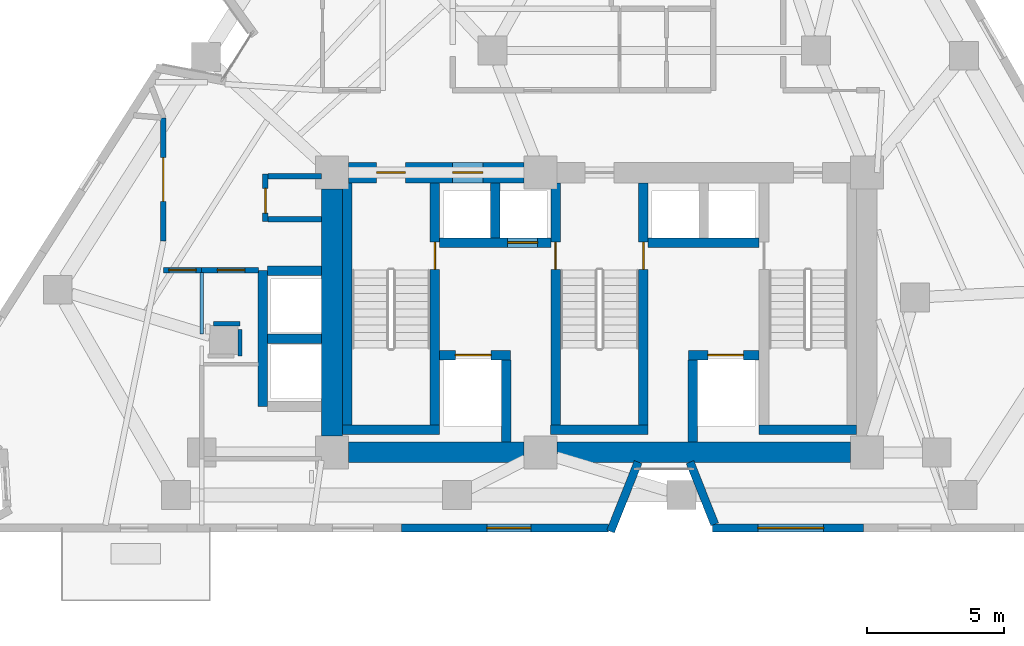
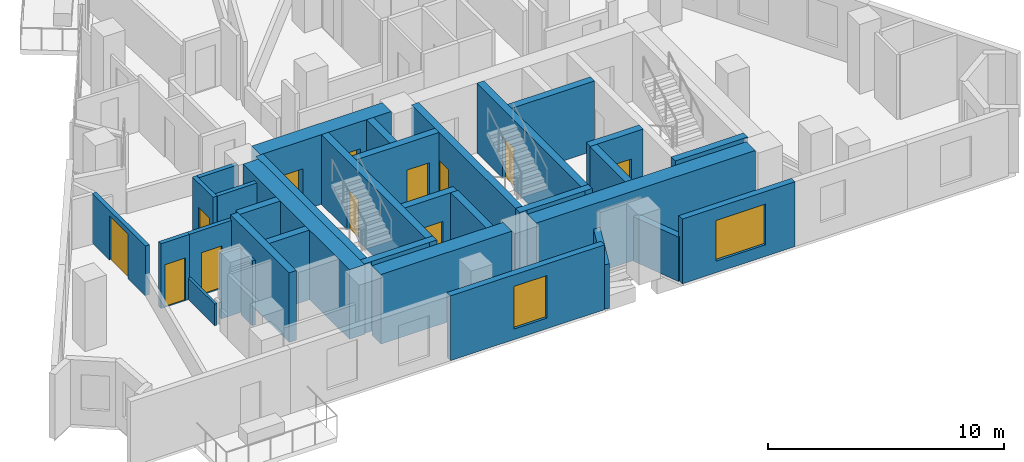
# One storey, part 6 of 11: 34 walls, 12 doors, 2 windows, 14 openings.
"""IFC4 building model written with IfcOpenShell, lengths in metres."""

from ifc_helpers import new_model, si_unit, direction, frame, frame_2d, origin, place, context, subcontext, project, spatial, rectangle, extrude, material, layer, layer_set, type_object, element, fill, save


model = new_model("IFC4")

# Units and contexts
model_context = context("Model", 3, precision=1e-05, world=origin(), true_north=direction((0.0, 1.0)))
body_context = subcontext(model_context, "Body", "Model", "MODEL_VIEW")
ifc_project = project(units=[si_unit("LENGTHUNIT", "METRE"), si_unit("AREAUNIT", "SQUARE_METRE"), si_unit("VOLUMEUNIT", "CUBIC_METRE"), si_unit("PLANEANGLEUNIT", "RADIAN"), si_unit("MASSUNIT", "GRAM", prefix="KILO")], contexts=[model_context])

# Site, building, storey
site_placement = place(None, origin())
site = spatial("IfcSite", under=ifc_project, at=site_placement, CompositionType="ELEMENT")
building_placement = place(site_placement, origin())
building = spatial("IfcBuilding", under=site, at=building_placement, Name="Almagre Mirador Tower", CompositionType="ELEMENT")
storey_placement = place(building_placement, frame((0.0, 0.0, 150.0)))
storey = spatial("IfcBuildingStorey", under=building, at=storey_placement, Name="L38", CompositionType="ELEMENT", Elevation=150.0)

# Wall, opening, window
ifc_material_1 = material(Name="Precast concrete C50/60", Category="concrete")
ifc_layer_1 = layer(ifc_material_1, 0.300048828125)
ifc_layer_set_1 = layer_set([ifc_layer_1], Name="Precast concrete C50/60")
wall_type_1 = type_object("IfcWallType", Name="WAL-EXT-300", PredefinedType="SOLIDWALL", material=ifc_layer_set_1)
wall_1_placement = place(storey_placement, frame((46.924072265625, 1.800048828125, 0.0), z_axis=(0.0, 0.0, 1.0), x_axis=(-1.0, 0.0, 0.0)))
wall_1 = element("IfcWall", 1, at=wall_1_placement, inside=storey, type_object=wall_type_1, Name="L38 expressed almagre precast frame wall 22", PredefinedType="SOLIDWALL", context=body_context, shape_type="SweptSolid", body=[
    extrude(rectangle(XDim=5.508056640625, YDim=0.300048828125, at=frame_2d((2.75390625, 0.0))), origin(), (0.0, 0.0, 1.0), 3.35009765625),
])
opening_1_placement = place(wall_1_placement, frame((1.449951171875, 0.0, 0.60009765625)))
opening_1 = element("IfcOpeningElement", 2, at=opening_1_placement, cuts=wall_1, Name="Opening WN-02", PredefinedType="OPENING", context=body_context, shape_type="SweptSolid", body=[
    extrude(rectangle(XDim=2.39990234375, YDim=2.10009765625, at=frame_2d((1.199951171875, 1.050048828125))), frame((0.0, 0.159902, 0.0), z_axis=(0.0, -1.0, 0.0), x_axis=(1.0, 0.0, 0.0)), (0.0, 0.0, 1.0), 0.320049),
])
ifc_material_2 = material(Name="Dark solar-control laminated hurricane glass", Category="glass")
window_type_1 = type_object("IfcWindowType", Name="WIN-2400X2100", PartitioningType="TRIPLE_PANEL_VERTICAL", PredefinedType="WINDOW", material=ifc_material_2)
window_1_placement = place(opening_1_placement, origin())
window_1 = element("IfcWindow", 3, at=window_1_placement, inside=storey, type_object=window_type_1, Name="L38 recessed hurricane window L38-RST-C", OverallHeight=2.10009765625, OverallWidth=2.39990234375, PartitioningType="SINGLE_PANEL", PredefinedType="WINDOW", context=body_context, shape_type="SweptSolid", body=[
    extrude(rectangle(XDim=2.39990234375, YDim=2.10009765625, at=frame_2d((1.199951171875, 1.050048828125))), frame((0.0, 0.030029296875, 0.0), z_axis=(0.0, -1.0, 0.0), x_axis=(1.0, 0.0, 0.0)), (0.0, 0.0, 1.0), 0.06005859375),
])
fill(opening_1, window_1)

# Walls
wall_2_placement = place(storey_placement, frame((41.504150390625, 1.93017578125, 0.0), z_axis=(0.0, 0.0, 1.0), x_axis=(-0.369476217581, 0.929240186734, 0.0)))
element("IfcWall", 4, at=wall_2_placement, inside=storey, type_object=wall_type_1, Name="L38 expressed almagre precast frame wall 23", PredefinedType="SOLIDWALL", context=body_context, shape_type="SweptSolid", body=[
    extrude(rectangle(XDim=2.441650390625, YDim=0.300048828125, at=frame_2d((1.220703125, 0.0))), origin(), (0.0, 0.0, 1.0), 2.300048828125),
])
wall_3_placement = place(storey_placement, frame((38.7099609375, 4.198974609375, 0.0), z_axis=(0.0, 0.0, 1.0), x_axis=(-0.369487569888, -0.929235672851, 0.0)))
element("IfcWall", 5, at=wall_3_placement, inside=storey, type_object=wall_type_1, Name="L38 expressed almagre precast frame wall 24", PredefinedType="SOLIDWALL", context=body_context, shape_type="SweptSolid", body=[
    extrude(rectangle(XDim=2.7216796875, YDim=0.300048828125, at=frame_2d((1.36083984375, 0.0))), origin(), (0.0, 0.0, 1.0), 2.300048828125),
])

# Wall, opening, window
wall_4_placement = place(storey_placement, frame((37.62109375, 1.800048828125, 0.0), z_axis=(0.0, 0.0, 1.0), x_axis=(-1.0, 0.0, 0.0)))
wall_4 = element("IfcWall", 6, at=wall_4_placement, inside=storey, type_object=wall_type_1, Name="L38 expressed almagre precast frame wall 25", PredefinedType="SOLIDWALL", context=body_context, shape_type="SweptSolid", body=[
    extrude(rectangle(XDim=7.537109375, YDim=0.300048828125, at=frame_2d((3.7685546875, 0.0))), origin(), (0.0, 0.0, 1.0), 3.35009765625),
])
opening_2_placement = place(wall_4_placement, frame((2.824951171875, 0.0, 0.550048828125)))
opening_2 = element("IfcOpeningElement", 7, at=opening_2_placement, cuts=wall_4, Name="Opening WN-06", PredefinedType="OPENING", context=body_context, shape_type="SweptSolid", body=[
    extrude(rectangle(XDim=1.60009765625, YDim=2.199951171875, at=frame_2d((0.800048828125, 1.10009765625))), frame((0.0, 0.159902, 0.0), z_axis=(0.0, -1.0, 0.0), x_axis=(1.0, 0.0, 0.0)), (0.0, 0.0, 1.0), 0.320049),
])
ifc_material_3 = material(Name="Dark solar-control laminated hurricane glass", Category="glass")
window_type_2 = type_object("IfcWindowType", Name="WIN-1600X2200", PartitioningType="DOUBLE_PANEL_VERTICAL", PredefinedType="WINDOW", material=ifc_material_3)
window_2_placement = place(opening_2_placement, origin())
window_2 = element("IfcWindow", 8, at=window_2_placement, inside=storey, type_object=window_type_2, Name="L38 recessed hurricane window L38-RST-C", OverallHeight=2.199951171875, OverallWidth=1.60009765625, PartitioningType="SINGLE_PANEL", PredefinedType="WINDOW", context=body_context, shape_type="SweptSolid", body=[
    extrude(rectangle(XDim=1.60009765625, YDim=2.199951171875, at=frame_2d((0.800048828125, 1.10009765625))), frame((0.0, 0.030029296875, 0.0), z_axis=(0.0, -1.0, 0.0), x_axis=(1.0, 0.0, 0.0)), (0.0, 0.0, 1.0), 0.06005859375),
])
fill(opening_2, window_2)

# Walls
ifc_material_4 = material(Name="Gypsum acoustic stud partition", Category="other")
ifc_layer_2 = layer(ifc_material_4, 0.125)
ifc_layer_set_2 = layer_set([ifc_layer_2], Name="Gypsum acoustic stud partition")
wall_type_2 = type_object("IfcWallType", Name="WAL-PRT-125-UTL", PredefinedType="PARTITIONING", material=ifc_layer_set_2)
wall_5_placement = place(storey_placement, frame((22.800048828125, 8.8701171875, 0.0), z_axis=(0.0, 0.0, 1.0), x_axis=(0.0, 1.0, 0.0)))
element("IfcWall", 9, at=wall_5_placement, inside=storey, type_object=wall_type_2, Name="L38 interior partition 035", PredefinedType="PARTITIONING", context=body_context, shape_type="SweptSolid", body=[
    extrude(rectangle(XDim=2.244873046875, YDim=0.125, at=frame_2d((1.12255859375, 0.0))), origin(), (0.0, 0.0, 1.0), 1.1201171875),
])
ifc_material_5 = material(Name="Gypsum acoustic stud partition", Category="other")
ifc_layer_3 = layer(ifc_material_5, 0.14990234375)
ifc_layer_set_3 = layer_set([ifc_layer_3], Name="Gypsum acoustic stud partition")
wall_type_3 = type_object("IfcWallType", Name="WAL-PRT-150-STD", PredefinedType="PARTITIONING", material=ifc_layer_set_3)
for number, where, z_axis, x_axis, name in (
    (10, (23.235107421875, 9.239990234375, 0.0), (0.0, 0.0, 1.0), (1.0, 0.0, 0.0), "L38 interior partition 092"),
    (11, (24.18994140625, 9.02490234375, 0.0), (0.0, 0.0, 1.0), (0.0, -1.0, 0.0), "L38 interior partition 093"),
):
    element("IfcWall", number, at=place(storey_placement, frame(where, z_axis=z_axis, x_axis=x_axis)), inside=storey, type_object=wall_type_3, Name=name, PredefinedType="PARTITIONING", context=body_context, shape_type="SweptSolid", body=[
        extrude(rectangle(XDim=0.954833984375, YDim=0.14990234375, at=frame_2d((0.4775390625, 0.0))), origin(), (0.0, 0.0, 1.0), 3.35009765625),
    ])

# Wall, opening, door
ifc_material_6 = material(Name="Gypsum acoustic stud partition", Category="other")
ifc_layer_4 = layer(ifc_material_6, 0.199951171875)
ifc_layer_set_4 = layer_set([ifc_layer_4], Name="Gypsum acoustic stud partition")
wall_type_4 = type_object("IfcWallType", Name="WAL-PRT-200-EI60", PredefinedType="PARTITIONING", material=ifc_layer_set_4)
wall_6_placement = place(storey_placement, frame((25.1201171875, 12.969970703125, 0.0), z_axis=(0.0, 0.0, 1.0), x_axis=(0.0, 1.0, 0.0)))
wall_6 = element("IfcWall", 12, at=wall_6_placement, inside=storey, type_object=wall_type_4, Name="L38 core ancillary west wall", PredefinedType="PARTITIONING", context=body_context, shape_type="SweptSolid", body=[
    extrude(rectangle(XDim=1.739990234375, YDim=0.199951171875, at=frame_2d((0.8701171875, 0.0))), origin(), (0.0, 0.0, 1.0), 3.35009765625),
])
opening_3_placement = place(wall_6_placement, frame((0.304931640625, 0.0, 0.0)))
opening_3 = element("IfcOpeningElement", 13, at=opening_3_placement, cuts=wall_6, Name="Opening ID-03", PredefinedType="OPENING", context=body_context, shape_type="SweptSolid", body=[
    extrude(rectangle(XDim=0.89990234375, YDim=2.10009765625, at=frame_2d((0.449951171875, 1.050048828125))), frame((0.0, 0.110098, 0.0), z_axis=(0.0, -1.0, 0.0), x_axis=(1.0, 0.0, 0.0)), (0.0, 0.0, 1.0), 0.219951),
])
ifc_material_7 = material(Name="Fire-rated hollow steel", Category="steel")
door_type_1 = type_object("IfcDoorType", Name="DOR-FD60-900X2100", OperationType="NOTDEFINED", PredefinedType="DOOR", material=ifc_material_7)
door_1_placement = place(opening_3_placement, origin())
door_1 = element("IfcDoor", 14, at=door_1_placement, inside=storey, type_object=door_type_1, Name="DR-1228 L38 core ancillary corridor door", OperationType="SINGLE_SWING_RIGHT", OverallHeight=2.10009765625, OverallWidth=0.89990234375, PredefinedType="DOOR", context=body_context, shape_type="SweptSolid", body=[
    extrude(rectangle(XDim=0.89990234375, YDim=2.10009765625, at=frame_2d((0.449951171875, 1.050048828125))), frame((0.0, 0.02490234375, 0.0), z_axis=(0.0, -1.0, 0.0), x_axis=(1.0, 0.0, 0.0)), (0.0, 0.0, 1.0), 0.050048828125),
])
fill(opening_3, door_1)

# Walls
for number, where, z_axis, x_axis, name in (
    (15, (25.22509765625, 14.6201171875, 0.0), (0.0, 0.0, 1.0), (1.0, 0.0, 0.0), "L38 core ancillary north wall"),
    (16, (25.22509765625, 13.06005859375, 0.0), (0.0, 0.0, 1.0), (1.0, 0.0, 0.0), "L38 core ancillary south wall"),
):
    element("IfcWall", number, at=place(storey_placement, frame(where, z_axis=z_axis, x_axis=x_axis)), inside=storey, type_object=wall_type_4, Name=name, PredefinedType="PARTITIONING", context=body_context, shape_type="SweptSolid", body=[
        extrude(rectangle(XDim=1.934814453125, YDim=0.199951171875, at=frame_2d((0.96728515625, 0.0))), origin(), (0.0, 0.0, 1.0), 3.35009765625),
    ])

# Wall, opening, door
wall_7_placement = place(storey_placement, frame((21.39990234375, 16.75, 0.0), z_axis=(0.0, 0.0, 1.0), x_axis=(0.0, -1.0, 0.0)))
wall_7 = element("IfcWall", 17, at=wall_7_placement, inside=storey, type_object=wall_type_4, Name="L38 interior partition 001", PredefinedType="PARTITIONING", context=body_context, shape_type="SweptSolid", body=[
    extrude(rectangle(XDim=4.5, YDim=0.199951171875, at=frame_2d((2.25, 0.0))), origin(), (0.0, 0.0, 1.0), 2.570068359375),
])
opening_4_placement = place(wall_7_placement, frame((1.449951171875, 0.0, 0.0)))
opening_4 = element("IfcOpeningElement", 18, at=opening_4_placement, cuts=wall_7, Name="Opening ID-05", PredefinedType="OPENING", context=body_context, shape_type="SweptSolid", body=[
    extrude(rectangle(XDim=1.60009765625, YDim=2.300048828125, at=frame_2d((0.800048828125, 1.14990234375))), frame((0.0, 0.110098, 0.0), z_axis=(0.0, -1.0, 0.0), x_axis=(1.0, 0.0, 0.0)), (0.0, 0.0, 1.0), 0.219951),
])
ifc_material_8 = material(Name="Fire-rated acoustic timber", Category="wood")
door_type_2 = type_object("IfcDoorType", Name="DOR-FD60-1600X2300", OperationType="DOUBLE_DOOR_SINGLE_SWING", PredefinedType="DOOR", material=ifc_material_8)
door_2_placement = place(opening_4_placement, origin())
door_2 = element("IfcDoor", 19, at=door_2_placement, inside=storey, type_object=door_type_2, Name="DR-1233 L38 interior door L38-RCOR to L38-RST-A", OperationType="DOUBLE_DOOR_SINGLE_SWING", OverallHeight=2.300048828125, OverallWidth=1.60009765625, PredefinedType="DOOR", context=body_context, shape_type="SweptSolid", body=[
    extrude(rectangle(XDim=1.60009765625, YDim=2.300048828125, at=frame_2d((0.800048828125, 1.14990234375))), frame((0.0, 0.02490234375, 0.0), z_axis=(0.0, -1.0, 0.0), x_axis=(1.0, 0.0, 0.0)), (0.0, 0.0, 1.0), 0.050048828125),
])
fill(opening_4, door_2)

wall_8_placement = place(storey_placement, frame((21.39990234375, 11.199951171875, 0.0), z_axis=(0.0, 0.0, 1.0), x_axis=(1.0, 0.0, 0.0)))
wall_8 = element("IfcWall", 20, at=wall_8_placement, inside=storey, type_object=wall_type_4, Name="L38 interior partition 003", PredefinedType="PARTITIONING", context=body_context, shape_type="SweptSolid", body=[
    extrude(rectangle(XDim=1.400146484375, YDim=0.199951171875, at=frame_2d((0.7001953125, 0.0))), origin(), (0.0, 0.0, 1.0), 3.35009765625),
])
opening_5_placement = place(wall_8_placement, frame((0.199951171875, 0.0, 0.0)))
opening_5 = element("IfcOpeningElement", 21, at=opening_5_placement, cuts=wall_8, Name="Opening ID-01", PredefinedType="OPENING", context=body_context, shape_type="SweptSolid", body=[
    extrude(rectangle(XDim=1.0, YDim=2.199951171875, at=frame_2d((0.5, 1.10009765625))), frame((0.0, 0.110098, 0.0), z_axis=(0.0, -1.0, 0.0), x_axis=(1.0, 0.0, 0.0)), (0.0, 0.0, 1.0), 0.219951),
])
ifc_material_9 = material(Name="Fire-rated walnut timber", Category="wood")
door_type_3 = type_object("IfcDoorType", Name="DOR-FD60-1000X2200", OperationType="NOTDEFINED", PredefinedType="DOOR", material=ifc_material_9)
door_3_placement = place(opening_5_placement, origin())
door_3 = element("IfcDoor", 22, at=door_3_placement, inside=storey, type_object=door_type_3, Name="DR-1234 L38 interior door L38-RCOR to L38-UB-LV", OperationType="SINGLE_SWING_LEFT", OverallHeight=2.199951171875, OverallWidth=1.0, PredefinedType="DOOR", context=body_context, shape_type="SweptSolid", body=[
    extrude(rectangle(XDim=1.0, YDim=2.199951171875, at=frame_2d((0.5, 1.10009765625))), frame((0.0, 0.02490234375, 0.0), z_axis=(0.0, -1.0, 0.0), x_axis=(1.0, 0.0, 0.0)), (0.0, 0.0, 1.0), 0.050048828125),
])
fill(opening_5, door_3)

wall_9_placement = place(storey_placement, frame((22.800048828125, 11.199951171875, 0.0), z_axis=(0.0, 0.0, 1.0), x_axis=(1.0, 0.0, 0.0)))
wall_9 = element("IfcWall", 23, at=wall_9_placement, inside=storey, type_object=wall_type_4, Name="L38 interior partition 004", PredefinedType="PARTITIONING", context=body_context, shape_type="SweptSolid", body=[
    extrude(rectangle(XDim=2.069091796875, YDim=0.199951171875, at=frame_2d((1.03466796875, 0.0))), origin(), (0.0, 0.0, 1.0), 3.35009765625),
])
opening_6_placement = place(wall_9_placement, frame((0.574951171875, 0.0, 0.0)))
opening_6 = element("IfcOpeningElement", 24, at=opening_6_placement, cuts=wall_9, Name="Opening ID-01", PredefinedType="OPENING", context=body_context, shape_type="SweptSolid", body=[
    extrude(rectangle(XDim=1.0, YDim=2.199951171875, at=frame_2d((0.5, 1.10009765625))), frame((0.0, 0.110098, 0.0), z_axis=(0.0, -1.0, 0.0), x_axis=(1.0, 0.0, 0.0)), (0.0, 0.0, 1.0), 0.219951),
])
door_4_placement = place(opening_6_placement, origin())
door_4 = element("IfcDoor", 25, at=door_4_placement, inside=storey, type_object=door_type_3, Name="DR-1248 L38 interior door L38-RCOR to L38-UB-KT", OperationType="SINGLE_SWING_RIGHT", OverallHeight=2.199951171875, OverallWidth=1.0, PredefinedType="DOOR", context=body_context, shape_type="SweptSolid", body=[
    extrude(rectangle(XDim=1.0, YDim=2.199951171875, at=frame_2d((0.5, 1.10009765625))), frame((0.0, 0.02490234375, 0.0), z_axis=(0.0, -1.0, 0.0), x_axis=(1.0, 0.0, 0.0)), (0.0, 0.0, 1.0), 0.050048828125),
])
fill(opening_6, door_4)

# Wall
ifc_material_10 = material(Name="Concrete C60/75", Category="concrete")
ifc_layer_5 = layer(ifc_material_10, 0.35009765625)
ifc_layer_set_5 = layer_set([ifc_layer_5], Name="Concrete C60/75")
wall_type_5 = type_object("IfcWallType", Name="WAL-SHF-350", PredefinedType="SOLIDWALL", material=ifc_layer_set_5)
wall_10_placement = place(storey_placement, frame((28.10009765625, 5.199951171875, 0.0), z_axis=(0.0, 0.0, 1.0), x_axis=(0.0, 1.0, 0.0)))
element("IfcWall", 26, at=wall_10_placement, inside=storey, type_object=wall_type_5, Name="L38 shaft wall ST1-W", PredefinedType="SOLIDWALL", context=body_context, shape_type="SweptSolid", body=[
    extrude(rectangle(XDim=9.175048828125, YDim=0.35009765625, at=frame_2d((4.58740234375, 0.0))), origin(), (0.0, 0.0, 1.0), 3.60009765625),
])

# Wall, opening, door
wall_11_placement = place(storey_placement, frame((31.300048828125, 5.199951171875, 0.0), z_axis=(0.0, 0.0, 1.0), x_axis=(0.0, 1.0, 0.0)))
wall_11 = element("IfcWall", 27, at=wall_11_placement, inside=storey, type_object=wall_type_5, Name="L38 shaft wall ST1-E", PredefinedType="SOLIDWALL", context=body_context, shape_type="SweptSolid", body=[
    extrude(rectangle(XDim=9.175048828125, YDim=0.35009765625, at=frame_2d((4.58740234375, 0.0))), origin(), (0.0, 0.0, 1.0), 3.60009765625),
])
opening_7_placement = place(wall_11_placement, frame((6.02001953125, 0.0, 0.0)))
opening_7 = element("IfcOpeningElement", 28, at=opening_7_placement, cuts=wall_11, Name="Opening FD-01", PredefinedType="OPENING", context=body_context, shape_type="SweptSolid", body=[
    extrude(rectangle(XDim=1.0, YDim=2.14990234375, at=frame_2d((0.5, 1.074951171875))), frame((0.0, 0.185049, 0.0), z_axis=(0.0, -1.0, 0.0), x_axis=(1.0, 0.0, 0.0)), (0.0, 0.0, 1.0), 0.370098),
])
ifc_material_11 = material(Name="Fire-rated hollow steel", Category="steel")
door_type_4 = type_object("IfcDoorType", Name="DOR-FFL-1000X2150", OperationType="NOTDEFINED", PredefinedType="DOOR", material=ifc_material_11)
door_5_placement = place(opening_7_placement, origin())
door_5 = element("IfcDoor", 29, at=door_5_placement, inside=storey, type_object=door_type_4, Name="DR-1229 L38 FFL1-ST1 smokeproof door", OperationType="SINGLE_SWING_RIGHT", OverallHeight=2.14990234375, OverallWidth=1.0, PredefinedType="DOOR", context=body_context, shape_type="SweptSolid", body=[
    extrude(rectangle(XDim=1.0, YDim=2.14990234375, at=frame_2d((0.5, 1.074951171875))), frame((0.0, 0.02490234375, 0.0), z_axis=(0.0, -1.0, 0.0), x_axis=(1.0, 0.0, 0.0)), (0.0, 0.0, 1.0), 0.050048828125),
])
fill(opening_7, door_5)

# Wall
wall_12_placement = place(storey_placement, frame((27.925048828125, 5.375, 0.0), z_axis=(0.0, 0.0, 1.0), x_axis=(1.0, 0.0, 0.0)))
element("IfcWall", 30, at=wall_12_placement, inside=storey, type_object=wall_type_5, Name="L38 shaft wall ST1-S", PredefinedType="SOLIDWALL", context=body_context, shape_type="SweptSolid", body=[
    extrude(rectangle(XDim=3.550048828125, YDim=0.35009765625, at=frame_2d((1.77490234375, 0.0))), origin(), (0.0, 0.0, 1.0), 3.60009765625),
])

# Wall, opening, door
wall_13_placement = place(storey_placement, frame((35.699951171875, 5.199951171875, 0.0), z_axis=(0.0, 0.0, 1.0), x_axis=(0.0, 1.0, 0.0)))
wall_13 = element("IfcWall", 31, at=wall_13_placement, inside=storey, type_object=wall_type_5, Name="L38 shaft wall ST2-W", PredefinedType="SOLIDWALL", context=body_context, shape_type="SweptSolid", body=[
    extrude(rectangle(XDim=9.175048828125, YDim=0.35009765625, at=frame_2d((4.58740234375, 0.0))), origin(), (0.0, 0.0, 1.0), 3.60009765625),
])
opening_8_placement = place(wall_13_placement, frame((6.02001953125, 0.0, 0.0)))
opening_8 = element("IfcOpeningElement", 32, at=opening_8_placement, cuts=wall_13, Name="Opening FD-01", PredefinedType="OPENING", context=body_context, shape_type="SweptSolid", body=[
    extrude(rectangle(XDim=1.0, YDim=2.14990234375, at=frame_2d((0.5, 1.074951171875))), frame((0.0, 0.185049, 0.0), z_axis=(0.0, -1.0, 0.0), x_axis=(1.0, 0.0, 0.0)), (0.0, 0.0, 1.0), 0.370098),
])
door_6_placement = place(opening_8_placement, origin())
door_6 = element("IfcDoor", 33, at=door_6_placement, inside=storey, type_object=door_type_4, Name="DR-1230 L38 FFL1-ST2 smokeproof door", OperationType="SINGLE_SWING_LEFT", OverallHeight=2.14990234375, OverallWidth=1.0, PredefinedType="DOOR", context=body_context, shape_type="SweptSolid", body=[
    extrude(rectangle(XDim=1.0, YDim=2.14990234375, at=frame_2d((0.5, 1.074951171875))), frame((0.0, 0.02490234375, 0.0), z_axis=(0.0, -1.0, 0.0), x_axis=(1.0, 0.0, 0.0)), (0.0, 0.0, 1.0), 0.050048828125),
])
fill(opening_8, door_6)

wall_14_placement = place(storey_placement, frame((38.89990234375, 5.199951171875, 0.0), z_axis=(0.0, 0.0, 1.0), x_axis=(0.0, 1.0, 0.0)))
wall_14 = element("IfcWall", 34, at=wall_14_placement, inside=storey, type_object=wall_type_5, Name="L38 shaft wall ST2-E", PredefinedType="SOLIDWALL", context=body_context, shape_type="SweptSolid", body=[
    extrude(rectangle(XDim=9.175048828125, YDim=0.35009765625, at=frame_2d((4.58740234375, 0.0))), origin(), (0.0, 0.0, 1.0), 3.60009765625),
])
opening_9_placement = place(wall_14_placement, frame((6.02001953125, 0.0, 0.0)))
opening_9 = element("IfcOpeningElement", 35, at=opening_9_placement, cuts=wall_14, Name="Opening FD-01", PredefinedType="OPENING", context=body_context, shape_type="SweptSolid", body=[
    extrude(rectangle(XDim=1.0, YDim=2.14990234375, at=frame_2d((0.5, 1.074951171875))), frame((0.0, 0.185049, 0.0), z_axis=(0.0, -1.0, 0.0), x_axis=(1.0, 0.0, 0.0)), (0.0, 0.0, 1.0), 0.370098),
])
door_7_placement = place(opening_9_placement, origin())
door_7 = element("IfcDoor", 36, at=door_7_placement, inside=storey, type_object=door_type_4, Name="DR-1231 L38 FFL2-ST2 smokeproof door", OperationType="SINGLE_SWING_RIGHT", OverallHeight=2.14990234375, OverallWidth=1.0, PredefinedType="DOOR", context=body_context, shape_type="SweptSolid", body=[
    extrude(rectangle(XDim=1.0, YDim=2.14990234375, at=frame_2d((0.5, 1.074951171875))), frame((0.0, 0.02490234375, 0.0), z_axis=(0.0, -1.0, 0.0), x_axis=(1.0, 0.0, 0.0)), (0.0, 0.0, 1.0), 0.050048828125),
])
fill(opening_9, door_7)

# Walls
for number, where, z_axis, x_axis, name in (
    (37, (35.52490234375, 5.375, 0.0), (0.0, 0.0, 1.0), (1.0, 0.0, 0.0), "L38 shaft wall ST2-S"),
    (38, (43.125, 5.375, 0.0), (0.0, 0.0, 1.0), (1.0, 0.0, 0.0), "L38 shaft wall ST3-S"),
):
    element("IfcWall", number, at=place(storey_placement, frame(where, z_axis=z_axis, x_axis=x_axis)), inside=storey, type_object=wall_type_5, Name=name, PredefinedType="SOLIDWALL", context=body_context, shape_type="SweptSolid", body=[
        extrude(rectangle(XDim=3.550048828125, YDim=0.35009765625, at=frame_2d((1.77490234375, 0.0))), origin(), (0.0, 0.0, 1.0), 3.60009765625),
    ])

# Wall, opening, door
wall_15_placement = place(storey_placement, frame((31.47509765625, 8.10009765625, 0.0), z_axis=(0.0, 0.0, 1.0), x_axis=(1.0, 0.0, 0.0)))
wall_15 = element("IfcWall", 39, at=wall_15_placement, inside=storey, type_object=wall_type_5, Name="L38 shaft wall FSAE1-N", PredefinedType="SOLIDWALL", context=body_context, shape_type="SweptSolid", body=[
    extrude(rectangle(XDim=2.574951171875, YDim=0.35009765625, at=frame_2d((1.28759765625, 0.0))), origin(), (0.0, 0.0, 1.0), 3.60009765625),
])
opening_10_placement = place(wall_15_placement, frame((0.574951171875, 0.0, 0.0)))
opening_10 = element("IfcOpeningElement", 40, at=opening_10_placement, cuts=wall_15, Name="Opening LD-03", PredefinedType="OPENING", context=body_context, shape_type="SweptSolid", body=[
    extrude(rectangle(XDim=1.300048828125, YDim=2.25, at=frame_2d((0.64990234375, 1.125))), frame((0.0, 0.185049, 0.0), z_axis=(0.0, -1.0, 0.0), x_axis=(1.0, 0.0, 0.0)), (0.0, 0.0, 1.0), 0.370098),
])
ifc_material_12 = material(Name="Hollow stainless steel", Category="steel")
door_type_5 = type_object("IfcDoorType", Name="DOR-LD-1300X2250", OperationType="DOUBLE_DOOR_SLIDING", PredefinedType="DOOR", material=ifc_material_12)
door_8_placement = place(opening_10_placement, origin())
door_8 = element("IfcDoor", 41, at=door_8_placement, inside=storey, type_object=door_type_5, Name="DR-1252 L38 FSAE-1 lift landing door", OperationType="DOUBLE_DOOR_SLIDING", OverallHeight=2.25, OverallWidth=1.300048828125, PredefinedType="DOOR", context=body_context, shape_type="SweptSolid", body=[
    extrude(rectangle(XDim=1.300048828125, YDim=2.25, at=frame_2d((0.64990234375, 1.125))), frame((0.0, 0.02490234375, 0.0), z_axis=(0.0, -1.0, 0.0), x_axis=(1.0, 0.0, 0.0)), (0.0, 0.0, 1.0), 0.050048828125),
])
fill(opening_10, door_8)

wall_16_placement = place(storey_placement, frame((40.550048828125, 8.10009765625, 0.0), z_axis=(0.0, 0.0, 1.0), x_axis=(1.0, 0.0, 0.0)))
wall_16 = element("IfcWall", 42, at=wall_16_placement, inside=storey, type_object=wall_type_5, Name="L38 shaft wall FSAE2-N", PredefinedType="SOLIDWALL", context=body_context, shape_type="SweptSolid", body=[
    extrude(rectangle(XDim=2.574951171875, YDim=0.35009765625, at=frame_2d((1.28759765625, 0.0))), origin(), (0.0, 0.0, 1.0), 3.60009765625),
])
opening_11_placement = place(wall_16_placement, frame((0.699951171875, 0.0, 0.0)))
opening_11 = element("IfcOpeningElement", 43, at=opening_11_placement, cuts=wall_16, Name="Opening LD-03", PredefinedType="OPENING", context=body_context, shape_type="SweptSolid", body=[
    extrude(rectangle(XDim=1.300048828125, YDim=2.25, at=frame_2d((0.64990234375, 1.125))), frame((0.0, 0.185049, 0.0), z_axis=(0.0, -1.0, 0.0), x_axis=(1.0, 0.0, 0.0)), (0.0, 0.0, 1.0), 0.370098),
])
door_9_placement = place(opening_11_placement, origin())
door_9 = element("IfcDoor", 44, at=door_9_placement, inside=storey, type_object=door_type_5, Name="DR-1253 L38 FSAE-2 lift landing door", OperationType="DOUBLE_DOOR_SLIDING", OverallHeight=2.25, OverallWidth=1.300048828125, PredefinedType="DOOR", context=body_context, shape_type="SweptSolid", body=[
    extrude(rectangle(XDim=1.300048828125, YDim=2.25, at=frame_2d((0.64990234375, 1.125))), frame((0.0, 0.02490234375, 0.0), z_axis=(0.0, -1.0, 0.0), x_axis=(1.0, 0.0, 0.0)), (0.0, 0.0, 1.0), 0.050048828125),
])
fill(opening_11, door_9)

# Walls
for number, where, z_axis, x_axis, name in (
    (45, (33.89990234375, 4.925048828125, 0.0), (0.0, 0.0, 1.0), (0.0, 1.0, 0.0), "L38 shaft wall FSAE1-E"),
    (46, (40.699951171875, 4.925048828125, 0.0), (0.0, 0.0, 1.0), (0.0, 1.0, 0.0), "L38 shaft wall FSAE2-W"),
):
    element("IfcWall", number, at=place(storey_placement, frame(where, z_axis=z_axis, x_axis=x_axis)), inside=storey, type_object=wall_type_5, Name=name, PredefinedType="SOLIDWALL", context=body_context, shape_type="SweptSolid", body=[
        extrude(rectangle(XDim=3.0, YDim=0.35009765625, at=frame_2d((1.5, 0.0))), origin(), (0.0, 0.0, 1.0), 3.60009765625),
    ])

# Wall, opening, door
wall_17_placement = place(storey_placement, frame((31.47509765625, 12.199951171875, 0.0), z_axis=(0.0, 0.0, 1.0), x_axis=(1.0, 0.0, 0.0)))
wall_17 = element("IfcWall", 47, at=wall_17_placement, inside=storey, type_object=wall_type_5, Name="L38 shaft wall PLM-S", PredefinedType="SOLIDWALL", context=body_context, shape_type="SweptSolid", body=[
    extrude(rectangle(XDim=4.0498046875, YDim=0.35009765625, at=frame_2d((2.02490234375, 0.0))), origin(), (0.0, 0.0, 1.0), 3.60009765625),
])
opening_12_placement = place(wall_17_placement, frame((2.47509765625, 0.0, 0.0)))
opening_12 = element("IfcOpeningElement", 48, at=opening_12_placement, cuts=wall_17, Name="Opening LD-01", PredefinedType="OPENING", context=body_context, shape_type="SweptSolid", body=[
    extrude(rectangle(XDim=1.10009765625, YDim=2.199951171875, at=frame_2d((0.550048828125, 1.10009765625))), frame((0.0, 0.185049, 0.0), z_axis=(0.0, -1.0, 0.0), x_axis=(1.0, 0.0, 0.0)), (0.0, 0.0, 1.0), 0.370098),
])
ifc_material_13 = material(Name="Hollow stainless steel", Category="steel")
door_type_6 = type_object("IfcDoorType", Name="DOR-LD-1100X2200", OperationType="DOUBLE_DOOR_SLIDING", PredefinedType="DOOR", material=ifc_material_13)
door_10_placement = place(opening_12_placement, origin())
door_10 = element("IfcDoor", 49, at=door_10_placement, inside=storey, type_object=door_type_6, Name="DR-1255 L38 PL-M2 lift landing door", OperationType="DOUBLE_DOOR_SLIDING", OverallHeight=2.199951171875, OverallWidth=1.10009765625, PredefinedType="DOOR", context=body_context, shape_type="SweptSolid", body=[
    extrude(rectangle(XDim=1.10009765625, YDim=2.199951171875, at=frame_2d((0.550048828125, 1.10009765625))), frame((0.0, 0.02490234375, 0.0), z_axis=(0.0, -1.0, 0.0), x_axis=(1.0, 0.0, 0.0)), (0.0, 0.0, 1.0), 0.050048828125),
])
fill(opening_12, door_10)

# Walls
wall_18_placement = place(storey_placement, frame((33.5, 12.375, 0.0), z_axis=(0.0, 0.0, 1.0), x_axis=(0.0, 1.0, 0.0)))
element("IfcWall", 50, at=wall_18_placement, inside=storey, type_object=wall_type_5, Name="L38 shaft wall PLM-M", PredefinedType="SOLIDWALL", context=body_context, shape_type="SweptSolid", body=[
    extrude(rectangle(XDim=2.0, YDim=0.35009765625, at=frame_2d((1.0, 0.0))), origin(), (0.0, 0.0, 1.0), 3.60009765625),
])
wall_19_placement = place(storey_placement, frame((39.074951171875, 12.199951171875, 0.0), z_axis=(0.0, 0.0, 1.0), x_axis=(1.0, 0.0, 0.0)))
element("IfcWall", 51, at=wall_19_placement, inside=storey, type_object=wall_type_5, Name="L38 shaft wall PLH-S", PredefinedType="SOLIDWALL", context=body_context, shape_type="SweptSolid", body=[
    extrude(rectangle(XDim=4.050048828125, YDim=0.35009765625, at=frame_2d((2.02490234375, 0.0))), origin(), (0.0, 0.0, 1.0), 3.60009765625),
])
wall_20_placement = place(storey_placement, frame((25.02490234375, 6.22509765625, 0.0), z_axis=(0.0, 0.0, 1.0), x_axis=(0.0, 1.0, 0.0)))
element("IfcWall", 52, at=wall_20_placement, inside=storey, type_object=wall_type_5, Name="L38 shaft wall OL-W", PredefinedType="SOLIDWALL", context=body_context, shape_type="SweptSolid", body=[
    extrude(rectangle(XDim=4.949951171875, YDim=0.35009765625, at=frame_2d((2.47509765625, 0.0))), origin(), (0.0, 0.0, 1.0), 3.60009765625),
])
for number, where, z_axis, x_axis, name in (
    (53, (25.199951171875, 8.699951171875, 0.0), (0.0, 0.0, 1.0), (1.0, 0.0, 0.0), "L38 shaft wall OL-M"),
    (54, (25.199951171875, 11.175048828125, 0.0), (0.0, 0.0, 1.0), (1.0, 0.0, 0.0), "L38 shaft wall OL-N"),
):
    element("IfcWall", number, at=place(storey_placement, frame(where, z_axis=z_axis, x_axis=x_axis)), inside=storey, type_object=wall_type_5, Name=name, PredefinedType="SOLIDWALL", context=body_context, shape_type="SweptSolid", body=[
        extrude(rectangle(XDim=1.97509765625, YDim=0.35009765625, at=frame_2d((0.987548828125, 0.0))), origin(), (0.0, 0.0, 1.0), 3.60009765625),
    ])
ifc_material_14 = material(Name="Concrete C60/75", Category="concrete")
ifc_layer_6 = layer(ifc_material_14, 0.75)
ifc_layer_set_6 = layer_set([ifc_layer_6], Name="Concrete C60/75")
wall_type_6 = type_object("IfcWallType", Name="WAL-SHR-750", PredefinedType="SHEAR", material=ifc_layer_set_6)
wall_21_placement = place(storey_placement, frame((28.14990234375, 4.550048828125, 0.0), z_axis=(0.0, 0.0, 1.0), x_axis=(1.0, 0.0, 0.0)))
element("IfcWall", 55, at=wall_21_placement, inside=storey, type_object=wall_type_6, Name="L38 core shear wall S1", PredefinedType="SHEAR", context=body_context, shape_type="SweptSolid", body=[
    extrude(rectangle(XDim=6.400146484375, YDim=0.75, at=frame_2d((3.2001953125, 0.0))), origin(), (0.0, 0.0, 1.0), 3.60009765625),
])
wall_22_placement = place(storey_placement, frame((35.75, 4.550048828125, 0.0), z_axis=(0.0, 0.0, 1.0), x_axis=(1.0, 0.0, 0.0)))
element("IfcWall", 56, at=wall_22_placement, inside=storey, type_object=wall_type_6, Name="L38 core shear wall S2", PredefinedType="SHEAR", context=body_context, shape_type="SweptSolid", body=[
    extrude(rectangle(XDim=10.699951171875, YDim=0.75, at=frame_2d((5.35009765625, 0.0))), origin(), (0.0, 0.0, 1.0), 3.60009765625),
])

# Wall, openings, doors
wall_23_placement = place(storey_placement, frame((28.14990234375, 14.75, 0.0), z_axis=(0.0, 0.0, 1.0), x_axis=(1.0, 0.0, 0.0)))
wall_23 = element("IfcWall", 57, at=wall_23_placement, inside=storey, type_object=wall_type_6, Name="L38 core shear wall N1", PredefinedType="SHEAR", context=body_context, shape_type="SweptSolid", body=[
    extrude(rectangle(XDim=6.400146484375, YDim=0.75, at=frame_2d((3.2001953125, 0.0))), origin(), (0.0, 0.0, 1.0), 3.60009765625),
])
opening_13_placement = place(wall_23_placement, frame((1.02490234375, 0.0, 0.0)))
opening_13 = element("IfcOpeningElement", 58, at=opening_13_placement, cuts=wall_23, Name="Opening SD-01", PredefinedType="OPENING", context=body_context, shape_type="SweptSolid", body=[
    extrude(rectangle(XDim=1.050048828125, YDim=2.14990234375, at=frame_2d((0.52490234375, 1.074951171875))), frame((0.0, 0.385, 0.0), z_axis=(0.0, -1.0, 0.0), x_axis=(1.0, 0.0, 0.0)), (0.0, 0.0, 1.0), 0.77),
])
opening_14_placement = place(wall_23_placement, frame((3.800048828125, 0.0, 0.0)))
opening_14 = element("IfcOpeningElement", 59, at=opening_14_placement, cuts=wall_23, Name="Opening LD-01", PredefinedType="OPENING", context=body_context, shape_type="SweptSolid", body=[
    extrude(rectangle(XDim=1.10009765625, YDim=2.199951171875, at=frame_2d((0.550048828125, 1.10009765625))), frame((0.0, 0.385, 0.0), z_axis=(0.0, -1.0, 0.0), x_axis=(1.0, 0.0, 0.0)), (0.0, 0.0, 1.0), 0.77),
])
door_11_placement = place(opening_14_placement, origin())
door_11 = element("IfcDoor", 60, at=door_11_placement, inside=storey, type_object=door_type_6, Name="DR-1254 L38 PL-M1 lift landing door", OperationType="DOUBLE_DOOR_SLIDING", OverallHeight=2.199951171875, OverallWidth=1.10009765625, PredefinedType="DOOR", context=body_context, shape_type="SweptSolid", body=[
    extrude(rectangle(XDim=1.10009765625, YDim=2.199951171875, at=frame_2d((0.550048828125, 1.10009765625))), frame((0.0, 0.02490234375, 0.0), z_axis=(0.0, -1.0, 0.0), x_axis=(1.0, 0.0, 0.0)), (0.0, 0.0, 1.0), 0.050048828125),
])
fill(opening_14, door_11)
ifc_material_15 = material(Name="Fire-rated hollow steel", Category="steel")
door_type_7 = type_object("IfcDoorType", Name="DOR-ST-1050X2150", OperationType="NOTDEFINED", PredefinedType="DOOR", material=ifc_material_15)
door_12_placement = place(opening_13_placement, origin())
door_12 = element("IfcDoor", 61, at=door_12_placement, inside=storey, type_object=door_type_7, Name="DR-1256 L38 protected exit stair ST-1 door", OperationType="SINGLE_SWING_RIGHT", OverallHeight=2.14990234375, OverallWidth=1.050048828125, PredefinedType="DOOR", context=body_context, shape_type="SweptSolid", body=[
    extrude(rectangle(XDim=1.050048828125, YDim=2.14990234375, at=frame_2d((0.52490234375, 1.074951171875))), frame((0.0, 0.02490234375, 0.0), z_axis=(0.0, -1.0, 0.0), x_axis=(1.0, 0.0, 0.0)), (0.0, 0.0, 1.0), 0.050048828125),
])
fill(opening_13, door_12)

# Wall
wall_24_placement = place(storey_placement, frame((27.550048828125, 5.14990234375, 0.0), z_axis=(0.0, 0.0, 1.0), x_axis=(0.0, 1.0, 0.0)))
element("IfcWall", 62, at=wall_24_placement, inside=storey, type_object=wall_type_6, Name="L38 core shear wall W1", PredefinedType="SHEAR", context=body_context, shape_type="SweptSolid", body=[
    extrude(rectangle(XDim=9.0, YDim=0.75, at=frame_2d((4.5, 0.0))), origin(), (0.0, 0.0, 1.0), 3.60009765625),
])

save(model, "model.ifc")
